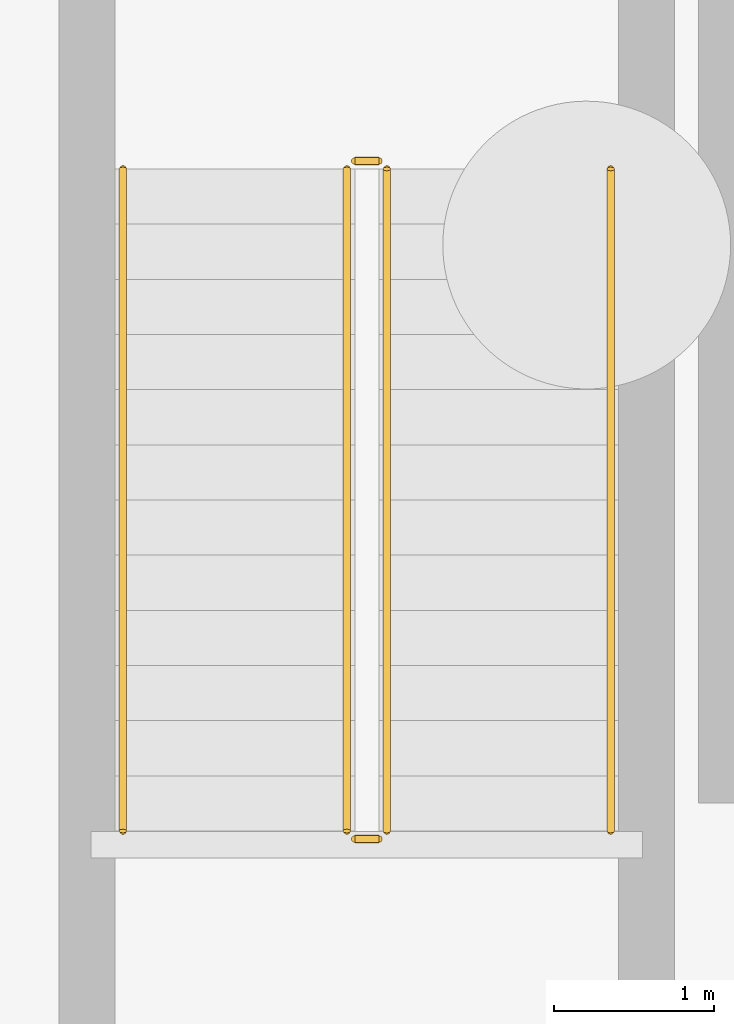
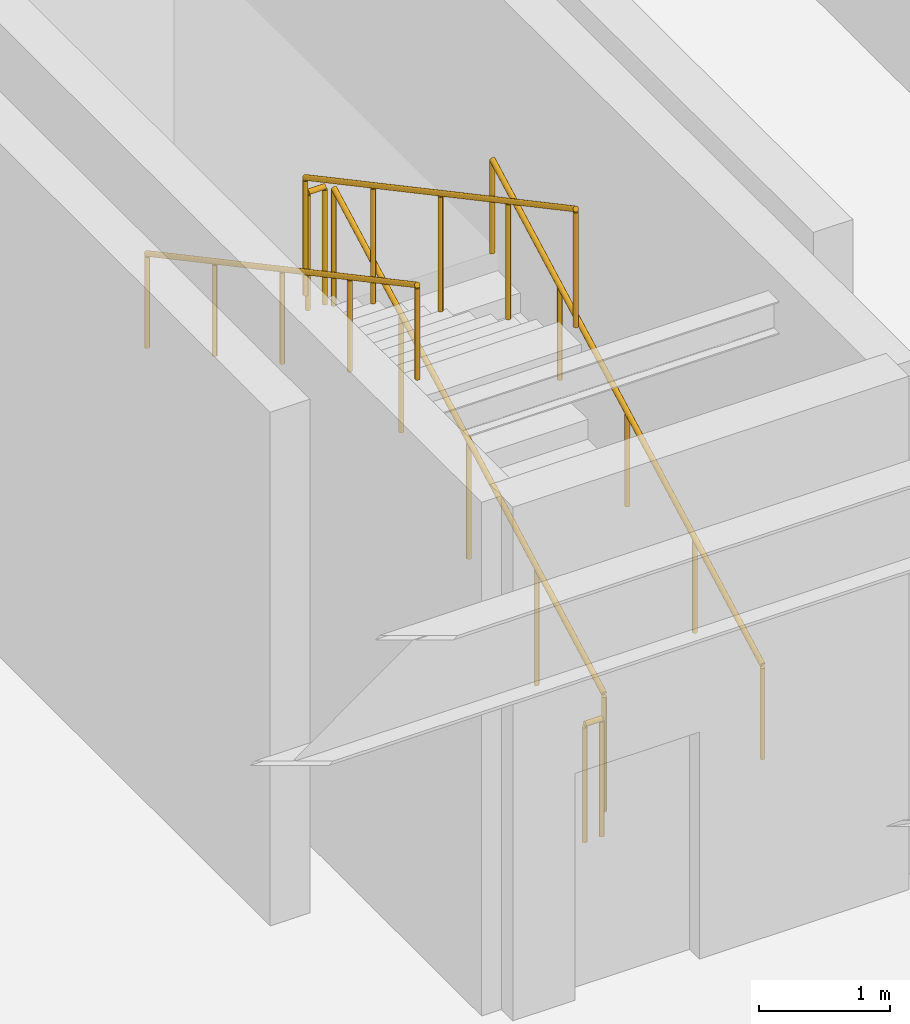
# One storey, part 7 of 9: 6 railings.
"""IFC4 building model written with IfcOpenShell, lengths in metres."""

import ifcopenshell
import ifcopenshell.guid

model = None  # the IFC model being written
_history = None  # IfcOwnerHistory: only IFC2X3 demands one
_inside = {}  # id of a spatial element -> (the spatial element, [elements in it])
_under = {}  # id of a project, library or spatial element -> (it, [spatial elements below it])
_declared = {}  # id of a project -> (the project, [libraries it declares])
_typed = {}  # id of a type object -> (the type object, [elements of that type])
_made_of = {}  # id of a material, layer set ... -> (it, [elements and type objects made of it])


def new_model(schema):
    """Start an empty IFC model of exactly this schema.

    Asked for "IFC4X3", IfcOpenShell would pick the latest addendum, in which some entities
    have other attributes; the version numbers below select the first issue.
    IFC2X3 requires an IfcOwnerHistory on every rooted entity: one is made here for all.
    """
    global model, _history
    if schema == "IFC4X3":
        model = ifcopenshell.file(schema_version=(4, 3, 0, 0))
    else:
        model = ifcopenshell.file(schema=schema)
    _inside.clear()
    _under.clear()
    _declared.clear()
    _typed.clear()
    _made_of.clear()
    _history = None
    if model.schema == "IFC2X3":
        org = make("IfcOrganization", Name="unknown")
        user = make(
            "IfcPersonAndOrganization",
            ThePerson=make("IfcPerson", FamilyName="unknown"),
            TheOrganization=org,
        )
        app = make(
            "IfcApplication",
            ApplicationDeveloper=org,
            Version="unknown",
            ApplicationFullName="unknown",
            ApplicationIdentifier="unknown",
        )
        _history = make(
            "IfcOwnerHistory",
            OwningUser=user,
            OwningApplication=app,
            ChangeAction="ADDED",
            CreationDate=0,
        )
    return model


def make(cls, **values):
    """One entity of the class cls with the attributes given. An attribute that is None is left unset."""
    return model.create_entity(
        cls, **{name: value for name, value in values.items() if value is not None}
    )


def rooted(cls, **values):
    """An entity with a GlobalId (a new one), such as an element, a storey or a relation."""
    return make(cls, GlobalId=ifcopenshell.guid.new(), OwnerHistory=_history, **values)


def si_unit(unit_type, name, prefix=None):
    """IfcSIUnit, for example si_unit("LENGTHUNIT", "METRE", prefix="MILLI")."""
    return make("IfcSIUnit", UnitType=unit_type, Prefix=prefix, Name=name)


def assignment(units):
    """IfcUnitAssignment: the units of a project."""
    return None if units is None else make("IfcUnitAssignment", Units=units)


def point(xyz):
    """IfcCartesianPoint."""
    return None if xyz is None else make("IfcCartesianPoint", Coordinates=xyz)


def direction(xyz):
    """IfcDirection."""
    return None if xyz is None else make("IfcDirection", DirectionRatios=xyz)


def frame(location, z_axis=None, x_axis=None):
    """IfcAxis2Placement3D, a coordinate frame: its origin and axes. An axis left out is left unset."""
    return make(
        "IfcAxis2Placement3D",
        Location=point(location),
        Axis=direction(z_axis),
        RefDirection=direction(x_axis),
    )


def frame_2d(location, x_axis=None):
    """IfcAxis2Placement2D, a coordinate frame in the plane: its origin and x axis."""
    return make(
        "IfcAxis2Placement2D", Location=point(location), RefDirection=direction(x_axis)
    )


def origin():
    """The frame at (0, 0, 0) with its axes left unset."""
    return frame((0.0, 0.0, 0.0))


def origin_2d():
    """The frame at (0, 0) in the plane with its x axis left unset."""
    return frame_2d((0.0, 0.0))


def place(relative_to, where):
    """IfcLocalPlacement: puts the frame where relative to a parent placement (None: the world)."""
    return make(
        "IfcLocalPlacement", PlacementRelTo=relative_to, RelativePlacement=where
    )


def context(
    kind, dimensions, precision=None, world=None, true_north=None, identifier=None
):
    """IfcGeometricRepresentationContext, for example the 3D "Model" context."""
    return make(
        "IfcGeometricRepresentationContext",
        ContextIdentifier=identifier,
        ContextType=kind,
        CoordinateSpaceDimension=dimensions,
        Precision=precision,
        WorldCoordinateSystem=world,
        TrueNorth=true_north,
    )


def subcontext(parent, identifier, kind, view, scale=None):
    """IfcGeometricRepresentationSubContext, for example "Body" below "Model"."""
    return make(
        "IfcGeometricRepresentationSubContext",
        ContextIdentifier=identifier,
        ContextType=kind,
        ParentContext=parent,
        TargetScale=scale,
        TargetView=view,
    )


def project(units=None, contexts=None):
    """IfcProject with its units and contexts."""
    return rooted(
        "IfcProject",
        Name="project",
        RepresentationContexts=contexts,
        UnitsInContext=assignment(units),
    )


def spatial(cls, under=None, at=None, **own):
    """A site, building, storey or space (cls), placed at a placement, below another one or the project."""
    s = rooted(cls, ObjectPlacement=at, **own)
    if under is not None:
        _under.setdefault(under.id(), (under, []))[1].append(s)
    return s


def profile(cls, at=None, kind="AREA", **sizes):
    """A parametric profile (cls). Its sizes go by their IFC names, for example OverallWidth=200.0."""
    return make(cls, ProfileType=kind, Position=at, **sizes)


def circle(**sizes):
    """IfcCircleProfileDef."""
    return profile("IfcCircleProfileDef", **sizes)


def extrude(swept, where, along, depth):
    """IfcExtrudedAreaSolid: the profile swept, set in the frame where, extruded along a direction by depth."""
    return make(
        "IfcExtrudedAreaSolid",
        SweptArea=swept,
        Position=where,
        ExtrudedDirection=direction(along),
        Depth=depth,
    )


def shape(context_of_items, identifier, shape_type, items):
    """IfcShapeRepresentation: the items that make up one representation, for example the "Body"."""
    return make(
        "IfcShapeRepresentation",
        ContextOfItems=context_of_items,
        RepresentationIdentifier=identifier,
        RepresentationType=shape_type,
        Items=items,
    )


def material(Name=None, Category=None):
    """IfcMaterial."""
    return make("IfcMaterial", Name=Name, Category=Category)


def made_of(thing, what):
    """Note that an element or type object is made of a material, layer set ...; save() writes the relation."""
    if what is not None:
        _made_of.setdefault(what.id(), (what, []))[1].append(thing)
    return thing


def type_object(cls, material=None, **own):
    """A type object (cls), such as IfcWallType, which elements share."""
    return made_of(rooted(cls, **own), material)


def element(
    cls,
    number,
    at=None,
    inside=None,
    cuts=None,
    type_object=None,
    material=None,
    context=None,
    identifier="Body",
    shape_type=None,
    held_by="IfcProductDefinitionShape",
    body=None,
    shapes=None,
    **own,
):
    """One element of the class cls, such as IfcWall. Its Tag is "e" and its number.

    at: its placement. inside: the storey or other place that contains it. cuts: it is an
    opening in that element (IfcRelVoidsElement). A single representation is given by context,
    identifier, shape_type and body (its items); several are given by shapes. held_by: the class
    of the entity that holds the representations. save() writes the other relations.
    """
    e = rooted(cls, Tag="e%d" % number, ObjectPlacement=at, **own)
    if body is not None:
        shapes = [shape(context, identifier, shape_type, body)]
    if shapes is not None:
        e.Representation = make(held_by, Representations=shapes)
    if inside is not None:
        _inside.setdefault(inside.id(), (inside, []))[1].append(e)
    if cuts is not None:
        rooted(
            "IfcRelVoidsElement", RelatingBuildingElement=cuts, RelatedOpeningElement=e
        )
    if type_object is not None:
        _typed.setdefault(type_object.id(), (type_object, []))[1].append(e)
    return made_of(e, material)


def aggregate(whole, parts):
    """IfcRelAggregates: a whole, such as a stair, and the parts it consists of."""
    return rooted("IfcRelAggregates", RelatingObject=whole, RelatedObjects=parts)


def save(model, path):
    """Write the relations noted so far, then the file.

    IfcRelAggregates (storeys below a building ...), IfcRelContainedInSpatialStructure (elements
    in a storey), IfcRelDefinesByType, IfcRelAssociatesMaterial and IfcRelDeclares: one each for
    every whole, place, type object, material and project.
    """
    for whole, parts in _under.values():
        aggregate(whole, parts)
    for where, things in _inside.values():
        rooted(
            "IfcRelContainedInSpatialStructure",
            RelatedElements=things,
            RelatingStructure=where,
        )
    for kind, things in _typed.values():
        rooted("IfcRelDefinesByType", RelatedObjects=things, RelatingType=kind)
    for what, things in _made_of.values():
        rooted("IfcRelAssociatesMaterial", RelatedObjects=things, RelatingMaterial=what)
    for by, libraries in _declared.values():
        rooted("IfcRelDeclares", RelatingContext=by, RelatedDefinitions=libraries)
    model.write(path)


model = new_model("IFC4")

# Units and contexts
model_context = context("Model", 3, precision=1e-05, world=origin(), true_north=direction((0.0, 1.0)))
body_context = subcontext(model_context, "Body", "Model", "MODEL_VIEW")
ifc_project = project(units=[si_unit("LENGTHUNIT", "METRE"), si_unit("AREAUNIT", "SQUARE_METRE"), si_unit("VOLUMEUNIT", "CUBIC_METRE"), si_unit("PLANEANGLEUNIT", "RADIAN"), si_unit("MASSUNIT", "GRAM", prefix="KILO")], contexts=[model_context])

# Site, building, storey
site_placement = place(None, origin())
site = spatial("IfcSite", under=ifc_project, at=site_placement, CompositionType="ELEMENT")
building_placement = place(site_placement, origin())
building = spatial("IfcBuilding", under=site, at=building_placement, Name="Tolvann Quenvar Hotel", CompositionType="ELEMENT")
storey_placement = place(building_placement, frame((0.0, 0.0, -14.39990234375)))
storey = spatial("IfcBuildingStorey", under=building, at=storey_placement, Name="B03", CompositionType="ELEMENT", Elevation=-14.39990234375)

# Railings
ifc_material = material(Name="Brushed 316 stainless steel balustrade and handrail", Category="steel")
railing_type_1 = type_object("IfcRailingType", Name="GUARDRAIL", PredefinedType="GUARDRAIL", material=ifc_material)
railing_1_placement = place(storey_placement, frame((1.60009765625, 34.050048828125, 0.1845703125)))
element("IfcRailing", 1, at=railing_1_placement, inside=storey, type_object=railing_type_1, Name="B03 ST-B1 stair guard 1", PredefinedType="GUARDRAIL", context=body_context, shape_type="SweptSolid", body=[
    extrude(circle(Radius=0.02392578125, at=origin_2d()), frame((0.0, 0.0, 1.09619140625), z_axis=(0.0, 0.881698630289, 0.471813019475), x_axis=(-1.0, 0.0, 0.0)), (0.0, 0.0, 1.0), 4.6953125),
    extrude(circle(Radius=0.02099609375, at=origin_2d()), origin(), (0.0, 0.0, 1.0), 1.072021484375),
    extrude(circle(Radius=0.02099609375, at=origin_2d()), frame((0.0, 1.034912109375, 0.5537109375)), (0.0, 0.0, 1.0), 1.072021484375),
    extrude(circle(Radius=0.02099609375, at=origin_2d()), frame((0.0, 2.06982421875, 1.107666015625)), (0.0, 0.0, 1.0), 1.072021484375),
    extrude(circle(Radius=0.02099609375, at=origin_2d()), frame((0.0, 3.10498046875, 1.66162109375)), (0.0, 0.0, 1.0), 1.072021484375),
    extrude(circle(Radius=0.02099609375, at=origin_2d()), frame((0.0, 4.139892578125, 2.21533203125)), (0.0, 0.0, 1.0), 1.072021484375),
])
railing_2_placement = place(storey_placement, frame((1.550048828125, 38.239990234375, 2.39990234375)))
element("IfcRailing", 2, at=railing_2_placement, inside=storey, type_object=railing_type_1, Name="B03 ST-B1 stair guard 2", PredefinedType="GUARDRAIL", context=body_context, shape_type="SweptSolid", body=[
    extrude(circle(Radius=0.02392578125, at=origin_2d()), frame((0.0, 0.0, 1.09619140625), z_axis=(-1.0, 0.0, 0.0), x_axis=(0.0, -1.0, 0.0)), (0.0, 0.0, 1.0), 0.150146484375),
    extrude(circle(Radius=0.02099609375, at=origin_2d()), origin(), (0.0, 0.0, 1.0), 1.072021484375),
    extrude(circle(Radius=0.02099609375, at=origin_2d()), frame((-0.150146484375, 0.0, 0.0)), (0.0, 0.0, 1.0), 1.072021484375),
])
railing_3_placement = place(storey_placement, frame((1.35009765625, 38.18994140625, 2.58447265625)))
element("IfcRailing", 3, at=railing_3_placement, inside=storey, type_object=railing_type_1, Name="B03 ST-B1 stair guard 3", PredefinedType="GUARDRAIL", context=body_context, shape_type="SweptSolid", body=[
    extrude(circle(Radius=0.02392578125, at=origin_2d()), frame((0.0, 0.0, 1.09619140625), z_axis=(0.0, -0.881698630289, 0.471813019475), x_axis=(1.0, 0.0, 0.0)), (0.0, 0.0, 1.0), 4.6953125),
    extrude(circle(Radius=0.02099609375, at=origin_2d()), origin(), (0.0, 0.0, 1.0), 1.072021484375),
    extrude(circle(Radius=0.02099609375, at=origin_2d()), frame((0.0, -1.034912109375, 0.5537109375)), (0.0, 0.0, 1.0), 1.072021484375),
    extrude(circle(Radius=0.02099609375, at=origin_2d()), frame((0.0, -2.06982421875, 1.107666015625)), (0.0, 0.0, 1.0), 1.072021484375),
    extrude(circle(Radius=0.02099609375, at=origin_2d()), frame((0.0, -3.10498046875, 1.66162109375)), (0.0, 0.0, 1.0), 1.072021484375),
    extrude(circle(Radius=0.02099609375, at=origin_2d()), frame((0.0, -4.139892578125, 2.21533203125)), (0.0, 0.0, 1.0), 1.072021484375),
])
railing_4_placement = place(storey_placement, frame((1.550048828125, 34.0, 0.0)))
element("IfcRailing", 4, at=railing_4_placement, inside=storey, type_object=railing_type_1, Name="B03 ST-B1 stair guard 4", PredefinedType="GUARDRAIL", context=body_context, shape_type="SweptSolid", body=[
    extrude(circle(Radius=0.02392578125, at=origin_2d()), frame((0.0, 0.0, 1.09619140625), z_axis=(-1.0, 0.0, 0.0), x_axis=(0.0, -1.0, 0.0)), (0.0, 0.0, 1.0), 0.150146484375),
    extrude(circle(Radius=0.02099609375, at=origin_2d()), origin(), (0.0, 0.0, 1.0), 1.072021484375),
    extrude(circle(Radius=0.02099609375, at=origin_2d()), frame((-0.150146484375, 0.0, 0.0)), (0.0, 0.0, 1.0), 1.072021484375),
])
railing_type_2 = type_object("IfcRailingType", Name="HANDRAIL", PredefinedType="HANDRAIL", material=ifc_material)
railing_5_placement = place(storey_placement, frame((3.0, 34.050048828125, 0.1845703125)))
element("IfcRailing", 5, at=railing_5_placement, inside=storey, type_object=railing_type_2, Name="B03 ST-B1 stair handrail 1", PredefinedType="HANDRAIL", context=body_context, shape_type="SweptSolid", body=[
    extrude(circle(Radius=0.02392578125, at=origin_2d()), frame((0.0, 0.0, 0.8759765625), z_axis=(0.0, 0.881698630289, 0.471813019475), x_axis=(-1.0, 0.0, 0.0)), (0.0, 0.0, 1.0), 4.6953125),
    extrude(circle(Radius=0.02099609375, at=origin_2d()), origin(), (0.0, 0.0, 1.0), 0.851806640625),
    extrude(circle(Radius=0.02099609375, at=origin_2d()), frame((0.0, 1.034912109375, 0.5537109375)), (0.0, 0.0, 1.0), 0.851806640625),
    extrude(circle(Radius=0.02099609375, at=origin_2d()), frame((0.0, 2.06982421875, 1.107666015625)), (0.0, 0.0, 1.0), 0.851806640625),
    extrude(circle(Radius=0.02099609375, at=origin_2d()), frame((0.0, 3.10498046875, 1.66162109375)), (0.0, 0.0, 1.0), 0.851806640625),
    extrude(circle(Radius=0.02099609375, at=origin_2d()), frame((0.0, 4.139892578125, 2.21533203125)), (0.0, 0.0, 1.0), 0.851806640625),
])
railing_6_placement = place(storey_placement, frame((-0.050048828125, 38.18994140625, 2.58447265625)))
element("IfcRailing", 6, at=railing_6_placement, inside=storey, type_object=railing_type_2, Name="B03 ST-B1 stair handrail 2", PredefinedType="HANDRAIL", context=body_context, shape_type="SweptSolid", body=[
    extrude(circle(Radius=0.02392578125, at=origin_2d()), frame((0.0, 0.0, 0.8759765625), z_axis=(0.0, -0.881698630289, 0.471813019475), x_axis=(1.0, 0.0, 0.0)), (0.0, 0.0, 1.0), 4.6953125),
    extrude(circle(Radius=0.02099609375, at=origin_2d()), origin(), (0.0, 0.0, 1.0), 0.851806640625),
    extrude(circle(Radius=0.02099609375, at=origin_2d()), frame((0.0, -1.034912109375, 0.5537109375)), (0.0, 0.0, 1.0), 0.851806640625),
    extrude(circle(Radius=0.02099609375, at=origin_2d()), frame((0.0, -2.06982421875, 1.107666015625)), (0.0, 0.0, 1.0), 0.851806640625),
    extrude(circle(Radius=0.02099609375, at=origin_2d()), frame((0.0, -3.10498046875, 1.66162109375)), (0.0, 0.0, 1.0), 0.851806640625),
    extrude(circle(Radius=0.02099609375, at=origin_2d()), frame((0.0, -4.139892578125, 2.21533203125)), (0.0, 0.0, 1.0), 0.851806640625),
])

save(model, "model.ifc")
